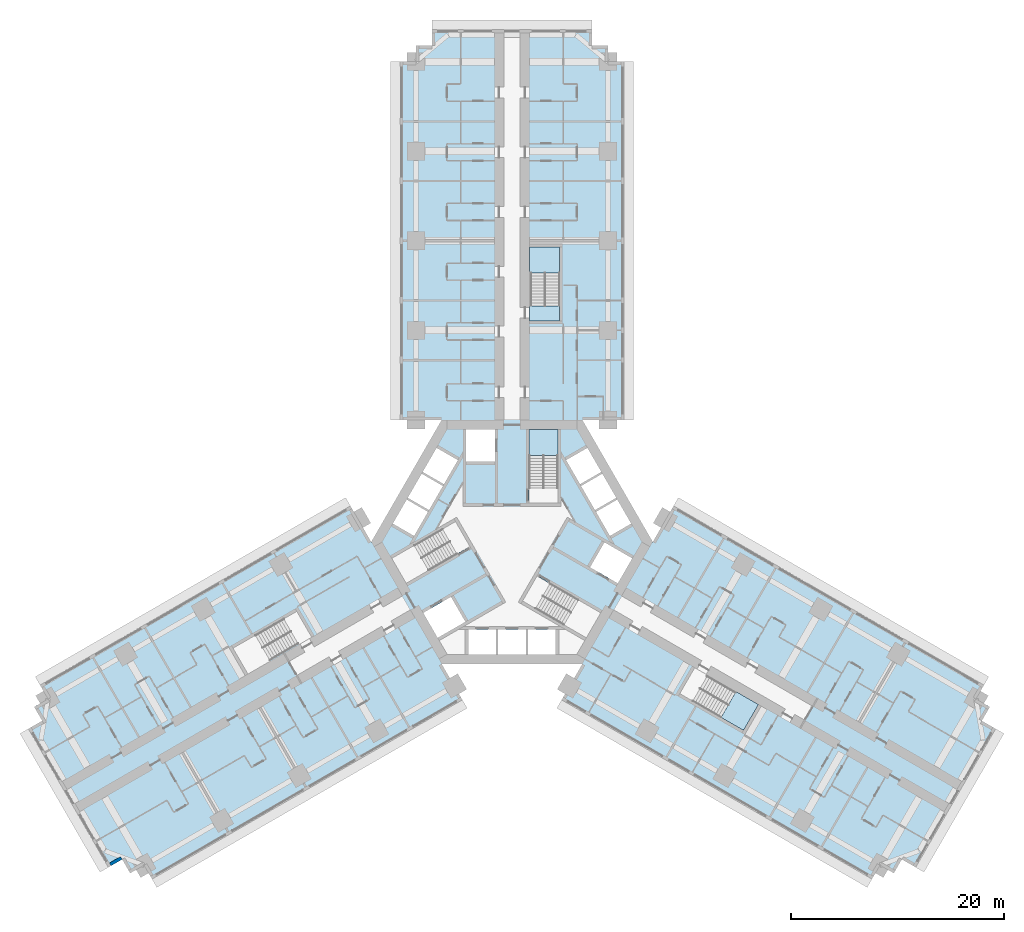
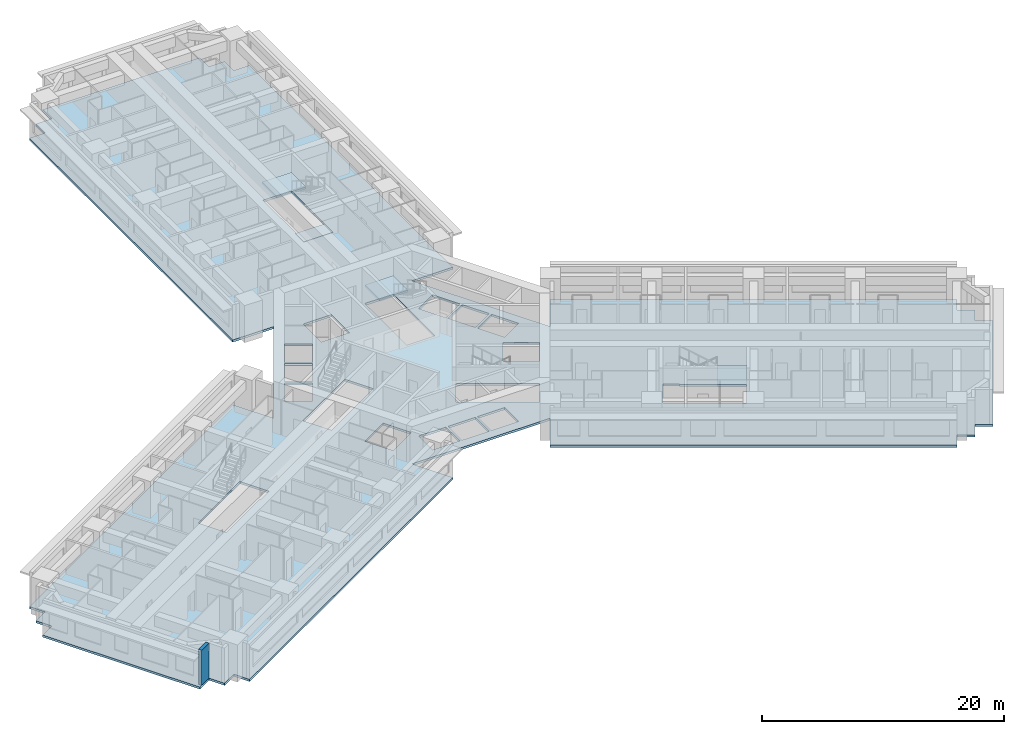
# One storey, part 2 of 17: 5 slabs, 1 wall, 3 elements without a shape of their own.
"""IFC4 building model written with IfcOpenShell, lengths in metres."""

from ifc_helpers import new_model, si_unit, direction, frame, frame_2d, origin, place, context, subcontext, project, spatial, polyline, rectangle, outline, extrude, material, layer, layer_set, type_object, element, aggregate, save


model = new_model("IFC4")

# Units and contexts
model_context = context("Model", 3, precision=1e-05, world=origin(), true_north=direction((0.0, 1.0)))
body_context = subcontext(model_context, "Body", "Model", "MODEL_VIEW")
ifc_project = project(units=[si_unit("LENGTHUNIT", "METRE"), si_unit("AREAUNIT", "SQUARE_METRE"), si_unit("VOLUMEUNIT", "CUBIC_METRE"), si_unit("PLANEANGLEUNIT", "RADIAN"), si_unit("MASSUNIT", "GRAM", prefix="KILO")], contexts=[model_context])

# Site, building, storey
site_placement = place(None, origin())
site = spatial("IfcSite", under=ifc_project, at=site_placement, CompositionType="ELEMENT")
building_placement = place(site_placement, origin())
building = spatial("IfcBuilding", under=site, at=building_placement, Name="Impinga Residences", CompositionType="ELEMENT")
storey_placement = place(building_placement, frame((0.0, 0.0, 33.5)))
storey = spatial("IfcBuildingStorey", under=building, at=storey_placement, Name="L07", CompositionType="ELEMENT", Elevation=33.5)

# Slab
ifc_material_1 = material(Name="Concrete C60/75", Category="concrete")
ifc_layer_1 = layer(ifc_material_1, 0.219970703125)
ifc_layer_set_1 = layer_set([ifc_layer_1], Name="Concrete C60/75")
slab_type_1 = type_object("IfcSlabType", Name="FS1 tower floor slab 220", PredefinedType="FLOOR", material=ifc_layer_set_1)
slab_1_placement = place(storey_placement, frame((0.0, 0.0, -0.219970703125)))
element("IfcSlab", 1, at=slab_1_placement, inside=storey, type_object=slab_type_1, Name="Floor slab FS1 L07", PredefinedType="FLOOR", context=body_context, shape_type="SweptSolid", body=[
    extrude(outline(polyline([(-34.49853515625, -30.31005859375), (-35.797607421875, -31.06005859375), (-36.547607421875, -29.760986328125), (-37.846435546875, -30.510986328125), (-45.346435546875, -17.5205078125), (-44.047607421875, -16.7705078125), (-44.797607421875, -15.471435546875), (-43.49853515625, -14.721435546875), (-44.24853515625, -13.422607421875), (-15.14990234375, 3.37744140625), (-13.199951171875, 0.0), (-6.60009765625, 11.431640625), (-10.5, 11.431640625), (-10.5, 45.031494140625), (-9.0, 45.031494140625), (-9.0, 46.531494140625), (-7.5, 46.531494140625), (-7.5, 48.031494140625), (7.5, 48.031494140625), (7.5, 46.531494140625), (9.0, 46.531494140625), (9.0, 45.031494140625), (10.5, 45.031494140625), (10.5, 11.431640625), (6.60009765625, 11.431640625), (13.199951171875, 0.0), (15.14990234375, 3.37744140625), (44.24853515625, -13.422607421875), (43.49853515625, -14.721435546875), (44.797607421875, -15.471435546875), (44.047607421875, -16.7705078125), (45.346435546875, -17.5205078125), (37.846435546875, -30.510986328125), (36.547607421875, -29.760986328125), (35.797607421875, -31.06005859375), (34.49853515625, -30.31005859375), (33.74853515625, -31.609130859375), (4.64990234375, -14.80908203125), (9.900146484375, -5.7158203125), (6.60009765625, -11.431640625), (-6.60009765625, -11.431640625), (-9.900146484375, -5.7158203125), (-4.64990234375, -14.80908203125), (-33.74853515625, -31.609130859375), (-34.49853515625, -30.31005859375)]), holes=[polyline([(-21.391357421875, -7.2119140625), (-26.154541015625, -9.9619140625), (-24.8046875, -12.30029296875), (-20.04150390625, -9.55029296875), (-19.991455078125, -9.63671875), (-18.779052734375, -8.936767578125), (-18.8291015625, -8.850341796875), (-18.8291015625, -8.850341796875), (-20.178955078125, -6.511962890625), (-21.391357421875, -7.2119140625), (-21.391357421875, -7.2119140625)]), polyline([(-1.5, -8.2314453125), (-4.10009765625, -8.2314453125), (-4.10009765625, -10.531494140625), (-1.5, -10.531494140625), (-1.5, -8.2314453125)]), polyline([(1.300048828125, -8.2314453125), (-1.300048828125, -8.2314453125), (-1.300048828125, -10.531494140625), (1.300048828125, -10.531494140625), (1.300048828125, -8.2314453125)]), polyline([(1.5, -8.2314453125), (1.5, -10.531494140625), (4.10009765625, -10.531494140625), (4.10009765625, -8.2314453125), (1.5, -8.2314453125)]), polyline([(-5.72119140625, -5.150634765625), (-8.320556640625, -6.6513671875), (-6.970458984375, -8.98974609375), (-4.37109375, -7.489013671875), (-5.72119140625, -5.150634765625)]), polyline([(-3.943603515625, -0.429443359375), (-5.293701171875, 1.908935546875), (-11.2705078125, -1.541748046875), (-9.920654296875, -3.880126953125), (-3.943603515625, -0.429443359375)]), polyline([(-9.1787109375, 0.56494140625), (-7.878662109375, 2.816650390625), (-9.87060546875, 3.966796875), (-11.170654296875, 1.715087890625), (-9.1787109375, 0.56494140625)]), polyline([(-6.478759765625, 5.24169921875), (-8.470458984375, 6.3916015625), (-9.7705078125, 4.139892578125), (-7.77880859375, 2.989990234375), (-6.478759765625, 5.24169921875)]), polyline([(-6.378662109375, 5.414794921875), (-5.07861328125, 7.66650390625), (-7.070556640625, 8.81640625), (-8.37060546875, 6.564697265625), (-6.378662109375, 5.414794921875)]), polyline([(-4.300048828125, 7.530029296875), (-1.60009765625, 7.530029296875), (-1.60009765625, 10.531494140625), (-4.300048828125, 10.531494140625), (-4.300048828125, 7.530029296875)]), polyline([(15.72900390625, -14.219482421875), (21.70458984375, -17.669677734375), (23.0546875, -15.331298828125), (18.29150390625, -12.581298828125), (18.341552734375, -12.49462890625), (17.129150390625, -11.794677734375), (15.72900390625, -14.219482421875)]), polyline([(0.99365234375, -5.538818359375), (6.970458984375, -8.98974609375), (8.320556640625, -6.6513671875), (2.34375, -3.20068359375), (0.99365234375, -5.538818359375)]), polyline([(8.671142578125, -0.041015625), (7.3212890625, -2.37939453125), (9.920654296875, -3.880126953125), (11.2705078125, -1.541748046875), (8.671142578125, -0.041015625)]), polyline([(7.878662109375, 2.816650390625), (9.1787109375, 0.56494140625), (11.170654296875, 1.715087890625), (9.87060546875, 3.966796875), (7.878662109375, 2.816650390625)]), polyline([(7.77880859375, 2.989990234375), (9.7705078125, 4.139892578125), (8.470458984375, 6.3916015625), (6.478759765625, 5.24169921875), (7.77880859375, 2.989990234375)]), polyline([(1.60009765625, 3.6298828125), (4.300048828125, 3.6298828125), (4.300048828125, 10.531494140625), (1.60009765625, 10.531494140625), (1.60009765625, 3.6298828125)]), polyline([(5.07861328125, 7.66650390625), (6.378662109375, 5.414794921875), (8.37060546875, 6.564697265625), (7.070556640625, 8.81640625), (5.07861328125, 7.66650390625)]), polyline([(1.75, 22.131591796875), (1.64990234375, 22.131591796875), (1.64990234375, 20.7314453125), (1.75, 20.7314453125), (4.449951171875, 20.7314453125), (4.449951171875, 22.131591796875), (4.449951171875, 27.631591796875), (1.75, 27.631591796875), (1.75, 22.131591796875)])]), origin(), (0.0, 0.0, 1.0), 0.219970703125),
])

# Stair, slab
ifc_material_2 = material(Name="Concrete C40/50", Category="concrete")
stair_type_1 = type_object("IfcStairType", Name="STR core stair 3750 storey, 24 risers", PredefinedType="HALF_TURN_STAIR", material=ifc_material_2)
stair_1_placement = place(storey_placement, origin())
stair_1 = element("IfcStair", 2, at=stair_1_placement, inside=storey, type_object=stair_type_1, Name="Stair ST1 L07", PredefinedType="HALF_TURN_STAIR")
ifc_layer_2 = layer(ifc_material_2, 0.199951171875)
ifc_layer_set_2 = layer_set([ifc_layer_2], Name="Concrete C40/50")
slab_type_2 = type_object("IfcSlabType", Name="LS1 stair landing 200", PredefinedType="LANDING", material=ifc_layer_set_2)
slab_2_placement = place(storey_placement, frame((0.0, 0.0, 1.675048828125)))
slab_2 = element("IfcSlab", 3, at=slab_2_placement, type_object=slab_type_2, Name="ST1 landing 2", PredefinedType="LANDING", context=body_context, shape_type="SweptSolid", body=[
    extrude(outline(polyline([(1.60009765625, 8.10009765625), (4.300048828125, 8.10009765625), (4.300048828125, 10.531494140625), (1.60009765625, 10.531494140625), (1.60009765625, 8.10009765625)])), origin(), (0.0, 0.0, 1.0), 0.199951171875),
])
aggregate(stair_1, [slab_2])

# Stair, slabs
stair_type_2 = type_object("IfcStairType", Name="STR wing stair 3750 storey, 24 risers", PredefinedType="HALF_TURN_STAIR", material=ifc_material_2)
stair_2_placement = place(storey_placement, origin())
stair_2 = element("IfcStair", 4, at=stair_2_placement, inside=storey, type_object=stair_type_2, Name="Stair WS1 L07", PredefinedType="HALF_TURN_STAIR")
slab_3_placement = place(storey_placement, frame((0.0, 0.0, -0.199951171875)))
slab_3 = element("IfcSlab", 5, at=slab_3_placement, type_object=slab_type_2, Name="WS1 landing 1", PredefinedType="LANDING", context=body_context, shape_type="SweptSolid", body=[
    extrude(outline(polyline([(1.64990234375, 20.7314453125), (4.449951171875, 20.7314453125), (4.449951171875, 22.1416015625), (1.64990234375, 22.1416015625), (1.64990234375, 20.7314453125)])), origin(), (0.0, 0.0, 1.0), 0.199951171875),
])
slab_4_placement = place(storey_placement, frame((0.0, 0.0, 1.675048828125)))
slab_4 = element("IfcSlab", 6, at=slab_4_placement, type_object=slab_type_2, Name="WS1 landing 2", PredefinedType="LANDING", context=body_context, shape_type="SweptSolid", body=[
    extrude(outline(polyline([(1.64990234375, 25.201416015625), (4.449951171875, 25.201416015625), (4.449951171875, 27.631591796875), (1.64990234375, 27.631591796875), (1.64990234375, 25.201416015625)])), origin(), (0.0, 0.0, 1.0), 0.199951171875),
])
aggregate(stair_2, [slab_3, slab_4])

# Stair, slab
stair_3_placement = place(storey_placement, origin())
stair_3 = element("IfcStair", 7, at=stair_3_placement, inside=storey, type_object=stair_type_2, Name="Stair WS3 L07", PredefinedType="HALF_TURN_STAIR")
slab_5_placement = place(storey_placement, frame((0.0, 0.0, 1.675048828125)))
slab_5 = element("IfcSlab", 8, at=slab_5_placement, type_object=slab_type_2, Name="WS3 landing 2", PredefinedType="LANDING", context=body_context, shape_type="SweptSolid", body=[
    extrude(outline(polyline([(21.000244140625, -14.02978515625), (19.60009765625, -16.45458984375), (21.70458984375, -17.669677734375), (23.1044921875, -15.24462890625), (21.000244140625, -14.02978515625)])), origin(), (0.0, 0.0, 1.0), 0.199951171875),
])
aggregate(stair_3, [slab_5])

# Wall
ifc_material_3 = material(Name="Terracotta rainscreen on blockwork", Category="masonry")
ifc_layer_3 = layer(ifc_material_3, 0.300048828125)
ifc_layer_set_3 = layer_set([ifc_layer_3], Name="EW1 external wall, terracotta rainscreen on blockwork 300")
wall_type = type_object("IfcWallType", Name="EW1 external wall, terracotta rainscreen on blockwork 300", PredefinedType="SOLIDWALL", material=ifc_layer_set_3)
wall_placement = place(storey_placement, frame((-36.626708984375, -29.633544921875, 0.0), z_axis=(0.0, 0.0, 1.0), x_axis=(-0.866059708757, -0.499940577336, 0.0)))
element("IfcWall", 9, at=wall_placement, inside=storey, type_object=wall_type, Name="External wall EW1 L07", PredefinedType="SOLIDWALL", context=body_context, shape_type="SweptSolid", body=[
    extrude(rectangle(XDim=1.195068359375, YDim=0.300048828125, at=frame_2d((0.59765625, 0.0))), origin(), (0.0, 0.0, 1.0), 3.530029296875),
])

save(model, "model.ifc")
